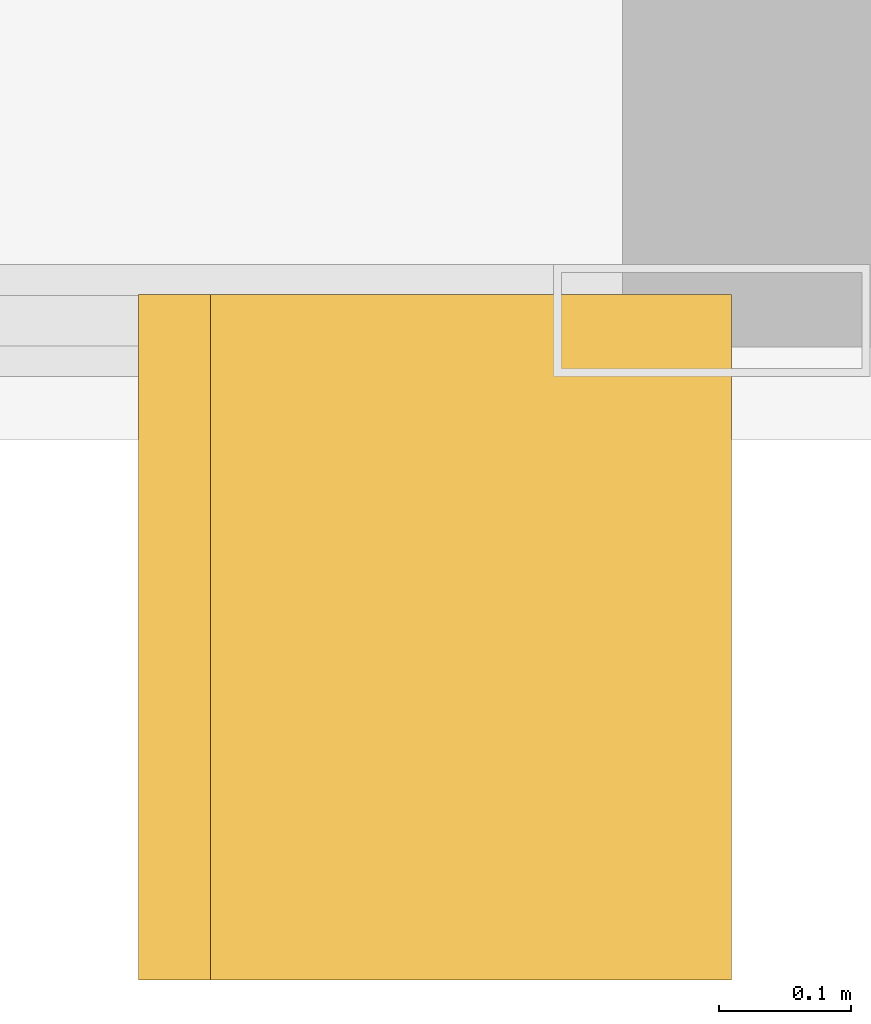
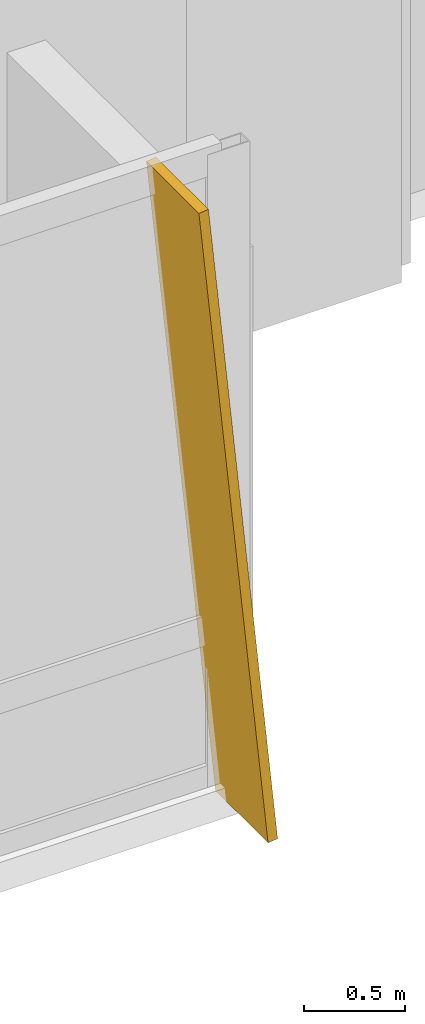
# One storey, part 37 of 37: 1 shading device.
"""IFC4 building model written with IfcOpenShell, lengths in metres."""

from ifc_helpers import new_model, si_unit, direction, frame, origin, place, context, subcontext, project, spatial, polyline, outline, extrude, material, layer, layer_set, type_object, element, save


model = new_model("IFC4")

# Units and contexts
model_context = context("Model", 3, precision=1e-05, world=origin(), true_north=direction((0.0, 1.0)))
body_context = subcontext(model_context, "Body", "Model", "MODEL_VIEW")
ifc_project = project(units=[si_unit("LENGTHUNIT", "METRE"), si_unit("AREAUNIT", "SQUARE_METRE"), si_unit("VOLUMEUNIT", "CUBIC_METRE"), si_unit("PLANEANGLEUNIT", "RADIAN"), si_unit("MASSUNIT", "GRAM", prefix="KILO")], contexts=[model_context])

# Site, building, storey
site_placement = place(None, origin())
site = spatial("IfcSite", under=ifc_project, at=site_placement, CompositionType="ELEMENT")
building_placement = place(site_placement, origin())
building = spatial("IfcBuilding", under=site, at=building_placement, Name="Khoronbel Lancet Exchange", CompositionType="ELEMENT")
storey_placement = place(building_placement, frame((0.0, 0.0, 61.800048828125)))
storey = spatial("IfcBuildingStorey", under=building, at=storey_placement, Name="L14", CompositionType="ELEMENT", Elevation=61.800048828125)

# Shading device
ifc_material = material(Name="Bronze-Anodised Aluminium 6063-T6", Category="aluminium")
ifc_layer = layer(ifc_material, 0.054931640625, Name="Bronze-Anodised Aluminium 6063-T6")
ifc_layer_set = layer_set([ifc_layer], Name="Bronze-Anodised Aluminium 6063-T6")
shading_device_type = type_object("IfcShadingDeviceType", Name="SHD-FIN1", PredefinedType="USERDEFINED", material=ifc_layer_set)
shading_device_placement = place(storey_placement, frame((67.9326171875, 7.31005859375, -0.080078125), z_axis=(0.995011517869, 0.0, 0.099760108806), x_axis=(0.0, -1.0, 0.0)))
element("IfcShadingDevice", 1, at=shading_device_placement, inside=storey, type_object=shading_device_type, Name="Slanted bronze solar fin CW-L14-SEV-1", ObjectType="FIN", PredefinedType="USERDEFINED", context=body_context, shape_type="SweptSolid", body=[
    extrude(outline(polyline([(0.0, 0.0), (0.52001953125, 0.0), (0.52001953125, -3.959716796875), (0.0, -3.959716796875), (0.0, 0.0)])), origin(), (0.0, 0.0, -1.0), 0.054931640625),
])

save(model, "model.ifc")
